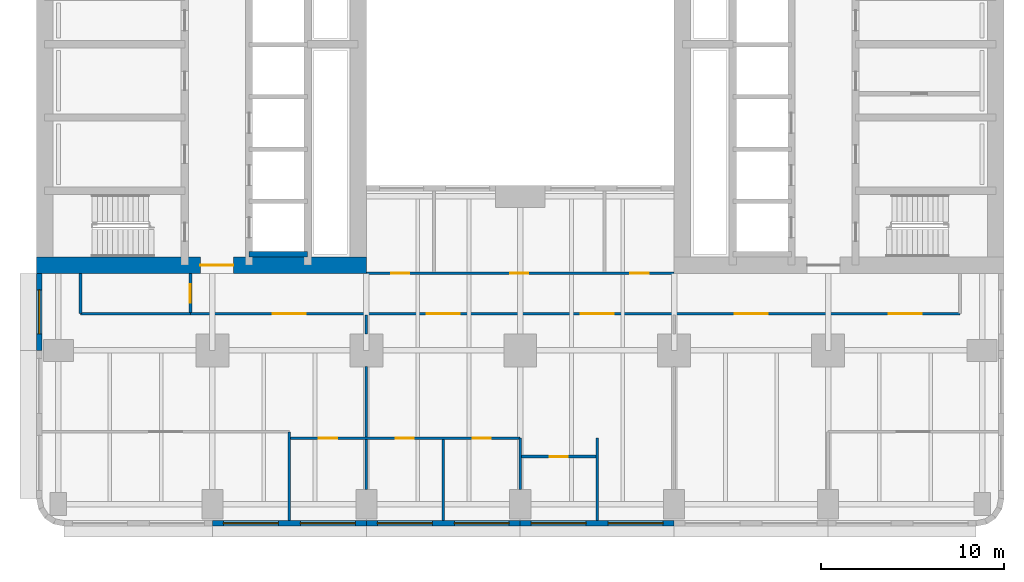
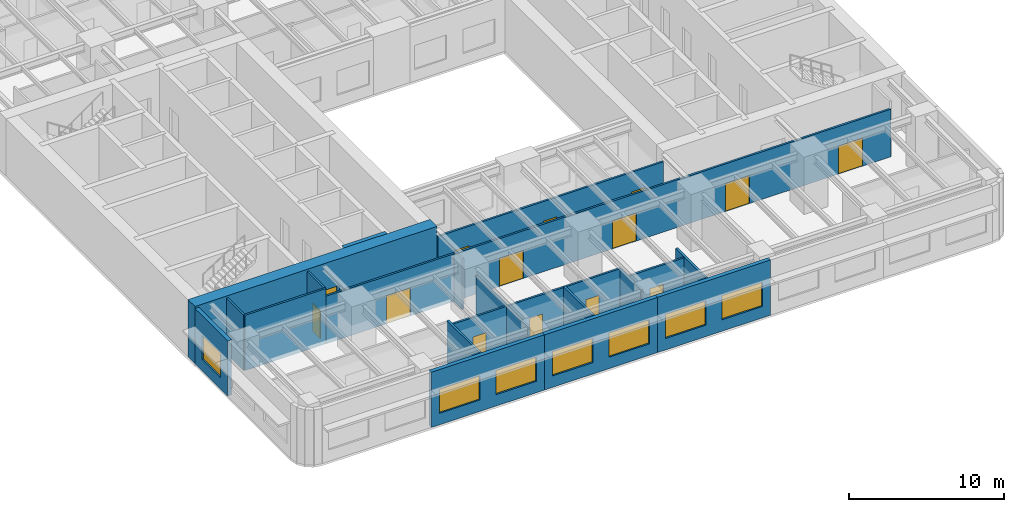
# One storey, part 3 of 12: 20 walls, 14 doors, 7 windows, 21 openings.
"""IFC4 building model written with IfcOpenShell, lengths in metres."""

from ifc_helpers import new_model, si_unit, direction, frame, frame_2d, origin, place, context, subcontext, project, spatial, rectangle, extrude, material, layer, layer_set, type_object, element, fill, save


model = new_model("IFC4")

# Units and contexts
model_context = context("Model", 3, precision=1e-05, world=origin(), true_north=direction((0.0, 1.0)))
body_context = subcontext(model_context, "Body", "Model", "MODEL_VIEW")
ifc_project = project(units=[si_unit("LENGTHUNIT", "METRE"), si_unit("AREAUNIT", "SQUARE_METRE"), si_unit("VOLUMEUNIT", "CUBIC_METRE"), si_unit("PLANEANGLEUNIT", "RADIAN"), si_unit("MASSUNIT", "GRAM", prefix="KILO")], contexts=[model_context])

# Site, building, storey
site_placement = place(None, origin())
site = spatial("IfcSite", under=ifc_project, at=site_placement, CompositionType="ELEMENT")
building_placement = place(site_placement, origin())
building = spatial("IfcBuilding", under=site, at=building_placement, Name="Claustro Exchange Tower", CompositionType="ELEMENT")
storey_placement = place(building_placement, frame((0.0, 0.0, 81.89990234375)))
storey = spatial("IfcBuildingStorey", under=building, at=storey_placement, Name="L18", CompositionType="ELEMENT", Elevation=81.89990234375)

# Wall, opening, door
ifc_material_1 = material(Name="Gypsum board on steel studs", Category="steel")
ifc_layer_1 = layer(ifc_material_1, 0.14990234375)
ifc_layer_set_1 = layer_set([ifc_layer_1], Name="Gypsum board on steel studs")
wall_type_1 = type_object("IfcWallType", Name="P1 150 plasterboard partition", PredefinedType="PARTITIONING", material=ifc_layer_set_1)
wall_1_placement = place(storey_placement, frame((25.27392578125, 2.60009765625, 0.0), z_axis=(0.0, 0.0, 1.0), x_axis=(1.0, 0.0, 0.0)))
wall_1 = element("IfcWall", 1, at=wall_1_placement, inside=storey, type_object=wall_type_1, Name="Partition P1 L18", PredefinedType="PARTITIONING", context=body_context, shape_type="SweptSolid", body=[
    extrude(rectangle(XDim=4.052001953125, YDim=0.14990234375, at=frame_2d((2.02587890625, 0.0))), origin(), (0.0, 0.0, 1.0), 3.739990234375),
])
opening_1_placement = place(wall_1_placement, frame((1.52587890625, 0.0, 0.0)))
opening_1 = element("IfcOpeningElement", 2, at=opening_1_placement, cuts=wall_1, Name="Opening D1", PredefinedType="OPENING", context=body_context, shape_type="SweptSolid", body=[
    extrude(rectangle(XDim=1.0, YDim=2.199951171875, at=frame_2d((0.5, 1.10009765625))), frame((0.0, 0.0849609375, 0.0), z_axis=(0.0, -1.0, 0.0), x_axis=(1.0, 0.0, 0.0)), (0.0, 0.0, 1.0), 0.169921875),
])
ifc_material_2 = material(Name="Timber door, oak veneer", Category="wood")
door_type_1 = type_object("IfcDoorType", Name="D1 1000 x 2200 single door", OperationType="SINGLE_SWING_LEFT", PredefinedType="DOOR", material=ifc_material_2)
door_1_placement = place(opening_1_placement, frame((1.0, 0.0, 0.0), z_axis=(0.0, 0.0, 1.0), x_axis=(-1.0, 0.0, 0.0)))
door_1 = element("IfcDoor", 3, at=door_1_placement, inside=storey, type_object=door_type_1, Name="Door D1 L18", OperationType="SINGLE_SWING_LEFT", OverallHeight=2.199951171875, OverallWidth=1.0, PredefinedType="DOOR", context=body_context, shape_type="SweptSolid", body=[
    extrude(rectangle(XDim=1.0, YDim=2.199951171875, at=frame_2d((0.5, 1.10009765625))), frame((0.0, 0.02490234375, 0.0), z_axis=(0.0, -1.0, 0.0), x_axis=(1.0, 0.0, 0.0)), (0.0, 0.0, 1.0), 0.050048828125),
])
fill(opening_1, door_1)

# Wall, openings, doors
wall_2_placement = place(storey_placement, frame((12.674072265625, 3.60009765625, 0.0), z_axis=(0.0, 0.0, 1.0), x_axis=(1.0, 0.0, 0.0)))
wall_2 = element("IfcWall", 4, at=wall_2_placement, inside=storey, type_object=wall_type_1, Name="Partition P1 L18", PredefinedType="PARTITIONING", context=body_context, shape_type="SweptSolid", body=[
    extrude(rectangle(XDim=12.52587890625, YDim=0.14990234375, at=frame_2d((6.262939453125, 0.0))), origin(), (0.0, 0.0, 1.0), 3.739990234375),
])
opening_2_placement = place(wall_2_placement, frame((1.52587890625, 0.0, 0.0)))
opening_2 = element("IfcOpeningElement", 5, at=opening_2_placement, cuts=wall_2, Name="Opening D1", PredefinedType="OPENING", context=body_context, shape_type="SweptSolid", body=[
    extrude(rectangle(XDim=1.0, YDim=2.199951171875, at=frame_2d((0.5, 1.10009765625))), frame((0.0, 0.0849609375, 0.0), z_axis=(0.0, -1.0, 0.0), x_axis=(1.0, 0.0, 0.0)), (0.0, 0.0, 1.0), 0.169921875),
])
opening_3_placement = place(wall_2_placement, frame((5.72607421875, 0.0, 0.0)))
opening_3 = element("IfcOpeningElement", 6, at=opening_3_placement, cuts=wall_2, Name="Opening D1", PredefinedType="OPENING", context=body_context, shape_type="SweptSolid", body=[
    extrude(rectangle(XDim=1.0, YDim=2.199951171875, at=frame_2d((0.5, 1.10009765625))), frame((0.0, 0.0849609375, 0.0), z_axis=(0.0, -1.0, 0.0), x_axis=(1.0, 0.0, 0.0)), (0.0, 0.0, 1.0), 0.169921875),
])
opening_4_placement = place(wall_2_placement, frame((9.926025390625, 0.0, 0.0)))
opening_4 = element("IfcOpeningElement", 7, at=opening_4_placement, cuts=wall_2, Name="Opening D1", PredefinedType="OPENING", context=body_context, shape_type="SweptSolid", body=[
    extrude(rectangle(XDim=1.0, YDim=2.199951171875, at=frame_2d((0.5, 1.10009765625))), frame((0.0, 0.0849609375, 0.0), z_axis=(0.0, -1.0, 0.0), x_axis=(1.0, 0.0, 0.0)), (0.0, 0.0, 1.0), 0.169921875),
])
door_2_placement = place(opening_2_placement, frame((1.0, 0.0, 0.0), z_axis=(0.0, 0.0, 1.0), x_axis=(-1.0, 0.0, 0.0)))
door_2 = element("IfcDoor", 8, at=door_2_placement, inside=storey, type_object=door_type_1, Name="Door D1 L18", OperationType="SINGLE_SWING_RIGHT", OverallHeight=2.199951171875, OverallWidth=1.0, PredefinedType="DOOR", context=body_context, shape_type="SweptSolid", body=[
    extrude(rectangle(XDim=1.0, YDim=2.199951171875, at=frame_2d((0.5, 1.10009765625))), frame((0.0, 0.02490234375, 0.0), z_axis=(0.0, -1.0, 0.0), x_axis=(1.0, 0.0, 0.0)), (0.0, 0.0, 1.0), 0.050048828125),
])
fill(opening_2, door_2)
door_3_placement = place(opening_3_placement, frame((1.0, 0.0, 0.0), z_axis=(0.0, 0.0, 1.0), x_axis=(-1.0, 0.0, 0.0)))
door_3 = element("IfcDoor", 9, at=door_3_placement, inside=storey, type_object=door_type_1, Name="Door D1 L18", OperationType="SINGLE_SWING_RIGHT", OverallHeight=2.199951171875, OverallWidth=1.0, PredefinedType="DOOR", context=body_context, shape_type="SweptSolid", body=[
    extrude(rectangle(XDim=1.0, YDim=2.199951171875, at=frame_2d((0.5, 1.10009765625))), frame((0.0, 0.02490234375, 0.0), z_axis=(0.0, -1.0, 0.0), x_axis=(1.0, 0.0, 0.0)), (0.0, 0.0, 1.0), 0.050048828125),
])
fill(opening_3, door_3)
door_4_placement = place(opening_4_placement, frame((1.0, 0.0, 0.0), z_axis=(0.0, 0.0, 1.0), x_axis=(-1.0, 0.0, 0.0)))
door_4 = element("IfcDoor", 10, at=door_4_placement, inside=storey, type_object=door_type_1, Name="Door D1 L18", OperationType="SINGLE_SWING_RIGHT", OverallHeight=2.199951171875, OverallWidth=1.0, PredefinedType="DOOR", context=body_context, shape_type="SweptSolid", body=[
    extrude(rectangle(XDim=1.0, YDim=2.199951171875, at=frame_2d((0.5, 1.10009765625))), frame((0.0, 0.02490234375, 0.0), z_axis=(0.0, -1.0, 0.0), x_axis=(1.0, 0.0, 0.0)), (0.0, 0.0, 1.0), 0.050048828125),
])
fill(opening_4, door_4)

# Walls
wall_3_placement = place(storey_placement, frame((12.60009765625, -0.902099609375, 0.0), z_axis=(0.0, 0.0, 1.0), x_axis=(0.0, 1.0, 0.0)))
element("IfcWall", 11, at=wall_3_placement, inside=storey, type_object=wall_type_1, Name="Partition P1 L18", PredefinedType="PARTITIONING", context=body_context, shape_type="SweptSolid", body=[
    extrude(rectangle(XDim=4.85205078125, YDim=0.14990234375, at=frame_2d((2.426025390625, 0.0))), origin(), (0.0, 0.0, 1.0), 3.840087890625),
])
wall_4_placement = place(storey_placement, frame((16.800048828125, 0.799072265625, 0.0), z_axis=(0.0, 0.0, 1.0), x_axis=(0.0, 1.0, 0.0)))
element("IfcWall", 12, at=wall_4_placement, inside=storey, type_object=wall_type_1, Name="Partition P1 L18", PredefinedType="PARTITIONING", context=body_context, shape_type="SweptSolid", body=[
    extrude(rectangle(XDim=2.726806640625, YDim=0.14990234375, at=frame_2d((1.36328125, 0.0))), origin(), (0.0, 0.0, 1.0), 3.739990234375),
])
wall_5_placement = place(storey_placement, frame((21.0, -0.902099609375, 0.0), z_axis=(0.0, 0.0, 1.0), x_axis=(0.0, 1.0, 0.0)))
element("IfcWall", 13, at=wall_5_placement, inside=storey, type_object=wall_type_1, Name="Partition P1 L18", PredefinedType="PARTITIONING", context=body_context, shape_type="SweptSolid", body=[
    extrude(rectangle(XDim=4.427978515625, YDim=0.14990234375, at=frame_2d((2.2138671875, 0.0))), origin(), (0.0, 0.0, 1.0), 3.840087890625),
])
wall_6_placement = place(storey_placement, frame((25.199951171875, 0.799072265625, 0.0), z_axis=(0.0, 0.0, 1.0), x_axis=(0.0, 1.0, 0.0)))
element("IfcWall", 14, at=wall_6_placement, inside=storey, type_object=wall_type_1, Name="Partition P1 L18", PredefinedType="PARTITIONING", context=body_context, shape_type="SweptSolid", body=[
    extrude(rectangle(XDim=2.801025390625, YDim=0.14990234375, at=frame_2d((1.400390625, 0.0))), origin(), (0.0, 0.0, 1.0), 3.739990234375),
])
wall_7_placement = place(storey_placement, frame((29.39990234375, -0.902099609375, 0.0), z_axis=(0.0, 0.0, 1.0), x_axis=(0.0, 1.0, 0.0)))
element("IfcWall", 15, at=wall_7_placement, inside=storey, type_object=wall_type_1, Name="Partition P1 L18", PredefinedType="PARTITIONING", context=body_context, shape_type="SweptSolid", body=[
    extrude(rectangle(XDim=4.502197265625, YDim=0.14990234375, at=frame_2d((2.2509765625, 0.0))), origin(), (0.0, 0.0, 1.0), 3.840087890625),
])
wall_8_placement = place(storey_placement, frame((16.800048828125, 3.674072265625, 0.0), z_axis=(0.0, 0.0, 1.0), x_axis=(0.0, 1.0, 0.0)))
element("IfcWall", 16, at=wall_8_placement, inside=storey, type_object=wall_type_1, Name="Partition P1 L18", PredefinedType="PARTITIONING", context=body_context, shape_type="SweptSolid", body=[
    extrude(rectangle(XDim=3.826904296875, YDim=0.14990234375, at=frame_2d((1.91357421875, 0.0))), origin(), (0.0, 0.0, 1.0), 3.739990234375),
])
wall_9_placement = place(storey_placement, frame((16.800048828125, 9.299072265625, 0.0), z_axis=(0.0, 0.0, 1.0), x_axis=(0.0, 1.0, 0.0)))
element("IfcWall", 17, at=wall_9_placement, inside=storey, type_object=wall_type_1, Name="Partition P1 L18", PredefinedType="PARTITIONING", context=body_context, shape_type="SweptSolid", body=[
    extrude(rectangle(XDim=1.02685546875, YDim=0.14990234375, at=frame_2d((0.513427734375, 0.0))), origin(), (0.0, 0.0, 1.0), 3.97998046875),
])

# Wall, openings, doors
wall_10_placement = place(storey_placement, frame((7.197998046875, 10.39990234375, 0.0), z_axis=(0.0, 0.0, 1.0), x_axis=(1.0, 0.0, 0.0)))
wall_10 = element("IfcWall", 18, at=wall_10_placement, inside=storey, type_object=wall_type_1, Name="Partition P1 L18", PredefinedType="PARTITIONING", context=body_context, shape_type="SweptSolid", body=[
    extrude(rectangle(XDim=42.001953125, YDim=0.14990234375, at=frame_2d((21.0009765625, 0.0))), origin(), (0.0, 0.0, 1.0), 3.739990234375),
])
opening_5_placement = place(wall_10_placement, frame((4.501953125, 0.0, 0.0)))
opening_5 = element("IfcOpeningElement", 19, at=opening_5_placement, cuts=wall_10, Name="Opening D2", PredefinedType="OPENING", context=body_context, shape_type="SweptSolid", body=[
    extrude(rectangle(XDim=1.800048828125, YDim=2.199951171875, at=frame_2d((0.89990234375, 1.10009765625))), frame((0.0, 0.0849609375, 0.0), z_axis=(0.0, -1.0, 0.0), x_axis=(1.0, 0.0, 0.0)), (0.0, 0.0, 1.0), 0.169921875),
])
opening_6_placement = place(wall_10_placement, frame((12.902099609375, 0.0, 0.0)))
opening_6 = element("IfcOpeningElement", 20, at=opening_6_placement, cuts=wall_10, Name="Opening D2", PredefinedType="OPENING", context=body_context, shape_type="SweptSolid", body=[
    extrude(rectangle(XDim=1.800048828125, YDim=2.199951171875, at=frame_2d((0.89990234375, 1.10009765625))), frame((0.0, 0.0849609375, 0.0), z_axis=(0.0, -1.0, 0.0), x_axis=(1.0, 0.0, 0.0)), (0.0, 0.0, 1.0), 0.169921875),
])
opening_7_placement = place(wall_10_placement, frame((21.302001953125, 0.0, 0.0)))
opening_7 = element("IfcOpeningElement", 21, at=opening_7_placement, cuts=wall_10, Name="Opening D2", PredefinedType="OPENING", context=body_context, shape_type="SweptSolid", body=[
    extrude(rectangle(XDim=1.800048828125, YDim=2.199951171875, at=frame_2d((0.89990234375, 1.10009765625))), frame((0.0, 0.0849609375, 0.0), z_axis=(0.0, -1.0, 0.0), x_axis=(1.0, 0.0, 0.0)), (0.0, 0.0, 1.0), 0.169921875),
])
opening_8_placement = place(wall_10_placement, frame((29.701904296875, 0.0, 0.0)))
opening_8 = element("IfcOpeningElement", 22, at=opening_8_placement, cuts=wall_10, Name="Opening D2", PredefinedType="OPENING", context=body_context, shape_type="SweptSolid", body=[
    extrude(rectangle(XDim=1.800048828125, YDim=2.199951171875, at=frame_2d((0.89990234375, 1.10009765625))), frame((0.0, 0.0849609375, 0.0), z_axis=(0.0, -1.0, 0.0), x_axis=(1.0, 0.0, 0.0)), (0.0, 0.0, 1.0), 0.169921875),
])
opening_9_placement = place(wall_10_placement, frame((38.10205078125, 0.0, 0.0)))
opening_9 = element("IfcOpeningElement", 23, at=opening_9_placement, cuts=wall_10, Name="Opening D2", PredefinedType="OPENING", context=body_context, shape_type="SweptSolid", body=[
    extrude(rectangle(XDim=1.800048828125, YDim=2.199951171875, at=frame_2d((0.89990234375, 1.10009765625))), frame((0.0, 0.0849609375, 0.0), z_axis=(0.0, -1.0, 0.0), x_axis=(1.0, 0.0, 0.0)), (0.0, 0.0, 1.0), 0.169921875),
])
ifc_material_3 = material(Name="Timber door, oak veneer", Category="wood")
door_type_2 = type_object("IfcDoorType", Name="D2 1800 x 2200 double door", OperationType="DOUBLE_DOOR_SINGLE_SWING", PredefinedType="DOOR", material=ifc_material_3)
door_5_placement = place(opening_5_placement, frame((1.800048828125, 0.0, 0.0), z_axis=(0.0, 0.0, 1.0), x_axis=(-1.0, 0.0, 0.0)))
door_5 = element("IfcDoor", 24, at=door_5_placement, inside=storey, type_object=door_type_2, Name="Double door D2 L18", OperationType="DOUBLE_DOOR_SINGLE_SWING", OverallHeight=2.199951171875, OverallWidth=1.800048828125, PredefinedType="DOOR", context=body_context, shape_type="SweptSolid", body=[
    extrude(rectangle(XDim=1.800048828125, YDim=2.199951171875, at=frame_2d((0.89990234375, 1.10009765625))), frame((0.0, 0.02490234375, 0.0), z_axis=(0.0, -1.0, 0.0), x_axis=(1.0, 0.0, 0.0)), (0.0, 0.0, 1.0), 0.050048828125),
])
fill(opening_5, door_5)
door_6_placement = place(opening_6_placement, frame((1.800048828125, 0.0, 0.0), z_axis=(0.0, 0.0, 1.0), x_axis=(-1.0, 0.0, 0.0)))
door_6 = element("IfcDoor", 25, at=door_6_placement, inside=storey, type_object=door_type_2, Name="Double door D2 L18", OperationType="DOUBLE_DOOR_SINGLE_SWING", OverallHeight=2.199951171875, OverallWidth=1.800048828125, PredefinedType="DOOR", context=body_context, shape_type="SweptSolid", body=[
    extrude(rectangle(XDim=1.800048828125, YDim=2.199951171875, at=frame_2d((0.89990234375, 1.10009765625))), frame((0.0, 0.02490234375, 0.0), z_axis=(0.0, -1.0, 0.0), x_axis=(1.0, 0.0, 0.0)), (0.0, 0.0, 1.0), 0.050048828125),
])
fill(opening_6, door_6)
door_7_placement = place(opening_7_placement, frame((1.800048828125, 0.0, 0.0), z_axis=(0.0, 0.0, 1.0), x_axis=(-1.0, 0.0, 0.0)))
door_7 = element("IfcDoor", 26, at=door_7_placement, inside=storey, type_object=door_type_2, Name="Double door D2 L18", OperationType="DOUBLE_DOOR_SINGLE_SWING", OverallHeight=2.199951171875, OverallWidth=1.800048828125, PredefinedType="DOOR", context=body_context, shape_type="SweptSolid", body=[
    extrude(rectangle(XDim=1.800048828125, YDim=2.199951171875, at=frame_2d((0.89990234375, 1.10009765625))), frame((0.0, 0.02490234375, 0.0), z_axis=(0.0, -1.0, 0.0), x_axis=(1.0, 0.0, 0.0)), (0.0, 0.0, 1.0), 0.050048828125),
])
fill(opening_7, door_7)
door_8_placement = place(opening_8_placement, frame((1.800048828125, 0.0, 0.0), z_axis=(0.0, 0.0, 1.0), x_axis=(-1.0, 0.0, 0.0)))
door_8 = element("IfcDoor", 27, at=door_8_placement, inside=storey, type_object=door_type_2, Name="Double door D2 L18", OperationType="DOUBLE_DOOR_SINGLE_SWING", OverallHeight=2.199951171875, OverallWidth=1.800048828125, PredefinedType="DOOR", context=body_context, shape_type="SweptSolid", body=[
    extrude(rectangle(XDim=1.800048828125, YDim=2.199951171875, at=frame_2d((0.89990234375, 1.10009765625))), frame((0.0, 0.02490234375, 0.0), z_axis=(0.0, -1.0, 0.0), x_axis=(1.0, 0.0, 0.0)), (0.0, 0.0, 1.0), 0.050048828125),
])
fill(opening_8, door_8)
door_9_placement = place(opening_9_placement, frame((1.800048828125, 0.0, 0.0), z_axis=(0.0, 0.0, 1.0), x_axis=(-1.0, 0.0, 0.0)))
door_9 = element("IfcDoor", 28, at=door_9_placement, inside=storey, type_object=door_type_2, Name="Double door D2 L18", OperationType="DOUBLE_DOOR_SINGLE_SWING", OverallHeight=2.199951171875, OverallWidth=1.800048828125, PredefinedType="DOOR", context=body_context, shape_type="SweptSolid", body=[
    extrude(rectangle(XDim=1.800048828125, YDim=2.199951171875, at=frame_2d((0.89990234375, 1.10009765625))), frame((0.0, 0.02490234375, 0.0), z_axis=(0.0, -1.0, 0.0), x_axis=(1.0, 0.0, 0.0)), (0.0, 0.0, 1.0), 0.050048828125),
])
fill(opening_9, door_9)

# Wall, opening, door
wall_11_placement = place(storey_placement, frame((7.199951171875, 10.47412109375, 0.0), z_axis=(0.0, 0.0, 1.0), x_axis=(0.0, 1.0, 0.0)))
wall_11 = element("IfcWall", 29, at=wall_11_placement, inside=storey, type_object=wall_type_1, Name="Partition P1 L18", PredefinedType="PARTITIONING", context=body_context, shape_type="SweptSolid", body=[
    extrude(rectangle(XDim=2.1279296875, YDim=0.14990234375, at=frame_2d((1.06396484375, 0.0))), origin(), (0.0, 0.0, 1.0), 4.340087890625),
])
opening_10_placement = place(wall_11_placement, frame((0.52587890625, 0.0, 0.0)))
opening_10 = element("IfcOpeningElement", 30, at=opening_10_placement, cuts=wall_11, Name="Opening D1", PredefinedType="OPENING", context=body_context, shape_type="SweptSolid", body=[
    extrude(rectangle(XDim=1.0, YDim=2.199951171875, at=frame_2d((0.5, 1.10009765625))), frame((0.0, 0.0849609375, 0.0), z_axis=(0.0, -1.0, 0.0), x_axis=(1.0, 0.0, 0.0)), (0.0, 0.0, 1.0), 0.169921875),
])
door_10_placement = place(opening_10_placement, origin())
door_10 = element("IfcDoor", 31, at=door_10_placement, inside=storey, type_object=door_type_1, Name="Door D1 L18", OperationType="SINGLE_SWING_RIGHT", OverallHeight=2.199951171875, OverallWidth=1.0, PredefinedType="DOOR", context=body_context, shape_type="SweptSolid", body=[
    extrude(rectangle(XDim=1.0, YDim=2.199951171875, at=frame_2d((0.5, 1.10009765625))), frame((0.0, 0.02490234375, 0.0), z_axis=(0.0, -1.0, 0.0), x_axis=(1.0, 0.0, 0.0)), (0.0, 0.0, 1.0), 0.050048828125),
])
fill(opening_10, door_10)

# Walls
wall_12_placement = place(storey_placement, frame((1.199951171875, 10.39990234375, 0.0), z_axis=(0.0, 0.0, 1.0), x_axis=(1.0, 0.0, 0.0)))
element("IfcWall", 32, at=wall_12_placement, inside=storey, type_object=wall_type_1, Name="Partition P1 L18", PredefinedType="PARTITIONING", context=body_context, shape_type="SweptSolid", body=[
    extrude(rectangle(XDim=6.001953125, YDim=0.14990234375, at=frame_2d((3.0009765625, 0.0))), origin(), (0.0, 0.0, 1.0), 4.340087890625),
])
wall_13_placement = place(storey_placement, frame((1.199951171875, 10.39990234375, 0.0), z_axis=(0.0, 0.0, 1.0), x_axis=(0.0, 1.0, 0.0)))
element("IfcWall", 33, at=wall_13_placement, inside=storey, type_object=wall_type_1, Name="Partition P1 L18", PredefinedType="PARTITIONING", context=body_context, shape_type="SweptSolid", body=[
    extrude(rectangle(XDim=2.2021484375, YDim=0.14990234375, at=frame_2d((1.10107421875, 0.0))), origin(), (0.0, 0.0, 1.0), 4.340087890625),
])

# Wall, openings, doors
wall_14_placement = place(storey_placement, frame((16.820068359375, 12.60009765625, 0.0), z_axis=(0.0, 0.0, 1.0), x_axis=(1.0, 0.0, 0.0)))
wall_14 = element("IfcWall", 34, at=wall_14_placement, inside=storey, type_object=wall_type_1, Name="Partition P1 L18", PredefinedType="PARTITIONING", context=body_context, shape_type="SweptSolid", body=[
    extrude(rectangle(XDim=16.760009765625, YDim=0.14990234375, at=frame_2d((8.3798828125, 0.0))), origin(), (0.0, 0.0, 1.0), 3.739990234375),
])
opening_11_placement = place(wall_14_placement, frame((1.330078125, 0.0, 0.0)))
opening_11 = element("IfcOpeningElement", 35, at=opening_11_placement, cuts=wall_14, Name="Opening D1", PredefinedType="OPENING", context=body_context, shape_type="SweptSolid", body=[
    extrude(rectangle(XDim=1.0, YDim=2.199951171875, at=frame_2d((0.5, 1.10009765625))), frame((0.0, 0.0849609375, 0.0), z_axis=(0.0, -1.0, 0.0), x_axis=(1.0, 0.0, 0.0)), (0.0, 0.0, 1.0), 0.169921875),
])
opening_12_placement = place(wall_14_placement, frame((7.830078125, 0.0, 0.0)))
opening_12 = element("IfcOpeningElement", 36, at=opening_12_placement, cuts=wall_14, Name="Opening D1", PredefinedType="OPENING", context=body_context, shape_type="SweptSolid", body=[
    extrude(rectangle(XDim=1.0, YDim=2.199951171875, at=frame_2d((0.5, 1.10009765625))), frame((0.0, 0.0849609375, 0.0), z_axis=(0.0, -1.0, 0.0), x_axis=(1.0, 0.0, 0.0)), (0.0, 0.0, 1.0), 0.169921875),
])
opening_13_placement = place(wall_14_placement, frame((14.3798828125, 0.0, 0.0)))
opening_13 = element("IfcOpeningElement", 37, at=opening_13_placement, cuts=wall_14, Name="Opening D1", PredefinedType="OPENING", context=body_context, shape_type="SweptSolid", body=[
    extrude(rectangle(XDim=1.0, YDim=2.199951171875, at=frame_2d((0.5, 1.10009765625))), frame((0.0, 0.0849609375, 0.0), z_axis=(0.0, -1.0, 0.0), x_axis=(1.0, 0.0, 0.0)), (0.0, 0.0, 1.0), 0.169921875),
])
door_11_placement = place(opening_11_placement, origin())
door_11 = element("IfcDoor", 38, at=door_11_placement, inside=storey, type_object=door_type_1, Name="Door D1 L18", OperationType="SINGLE_SWING_LEFT", OverallHeight=2.199951171875, OverallWidth=1.0, PredefinedType="DOOR", context=body_context, shape_type="SweptSolid", body=[
    extrude(rectangle(XDim=1.0, YDim=2.199951171875, at=frame_2d((0.5, 1.10009765625))), frame((0.0, 0.02490234375, 0.0), z_axis=(0.0, -1.0, 0.0), x_axis=(1.0, 0.0, 0.0)), (0.0, 0.0, 1.0), 0.050048828125),
])
fill(opening_11, door_11)
door_12_placement = place(opening_12_placement, origin())
door_12 = element("IfcDoor", 39, at=door_12_placement, inside=storey, type_object=door_type_1, Name="Door D1 L18", OperationType="SINGLE_SWING_LEFT", OverallHeight=2.199951171875, OverallWidth=1.0, PredefinedType="DOOR", context=body_context, shape_type="SweptSolid", body=[
    extrude(rectangle(XDim=1.0, YDim=2.199951171875, at=frame_2d((0.5, 1.10009765625))), frame((0.0, 0.02490234375, 0.0), z_axis=(0.0, -1.0, 0.0), x_axis=(1.0, 0.0, 0.0)), (0.0, 0.0, 1.0), 0.050048828125),
])
fill(opening_12, door_12)
door_13_placement = place(opening_13_placement, origin())
door_13 = element("IfcDoor", 40, at=door_13_placement, inside=storey, type_object=door_type_1, Name="Door D1 L18", OperationType="SINGLE_SWING_LEFT", OverallHeight=2.199951171875, OverallWidth=1.0, PredefinedType="DOOR", context=body_context, shape_type="SweptSolid", body=[
    extrude(rectangle(XDim=1.0, YDim=2.199951171875, at=frame_2d((0.5, 1.10009765625))), frame((0.0, 0.02490234375, 0.0), z_axis=(0.0, -1.0, 0.0), x_axis=(1.0, 0.0, 0.0)), (0.0, 0.0, 1.0), 0.050048828125),
])
fill(opening_13, door_13)

# Wall, openings, windows
ifc_material_4 = material(Name="Concrete HA-40 (C40/50), precast, white cement, acid-etched", Category="concrete")
ifc_layer_2 = layer(ifc_material_4, 0.300048828125)
ifc_layer_set_2 = layer_set([ifc_layer_2], Name="Concrete HA-40 (C40/50), precast, white cement, acid-etched")
wall_type_2 = type_object("IfcWallType", Name="PC1 300 precast concrete pier panel", PredefinedType="SOLIDWALL", material=ifc_layer_set_2)
wall_15_placement = place(storey_placement, frame((33.60009765625, -1.050048828125, 0.0), z_axis=(0.0, 0.0, 1.0), x_axis=(-1.0, 0.0, 0.0)))
wall_15 = element("IfcWall", 41, at=wall_15_placement, inside=storey, type_object=wall_type_2, Name="Precast pier panel PC1 L18", PredefinedType="SOLIDWALL", context=body_context, shape_type="SweptSolid", body=[
    extrude(rectangle(XDim=8.400146484375, YDim=0.300048828125, at=frame_2d((4.2001953125, 0.0))), origin(), (0.0, 0.0, 1.0), 4.340087890625),
])
opening_14_placement = place(wall_15_placement, frame((0.60009765625, 0.0, 0.89990234375)))
opening_14 = element("IfcOpeningElement", 42, at=opening_14_placement, cuts=wall_15, Name="Opening W1", PredefinedType="OPENING", context=body_context, shape_type="SweptSolid", body=[
    extrude(rectangle(XDim=3.0, YDim=1.89990234375, at=frame_2d((1.5, 0.949951171875))), frame((0.0, 0.159912109375, 0.0), z_axis=(0.0, -1.0, 0.0), x_axis=(1.0, 0.0, 0.0)), (0.0, 0.0, 1.0), 0.320068359375),
])
opening_15_placement = place(wall_15_placement, frame((4.800048828125, 0.0, 0.89990234375)))
opening_15 = element("IfcOpeningElement", 43, at=opening_15_placement, cuts=wall_15, Name="Opening W1", PredefinedType="OPENING", context=body_context, shape_type="SweptSolid", body=[
    extrude(rectangle(XDim=3.0, YDim=1.89990234375, at=frame_2d((1.5, 0.949951171875))), frame((0.0, 0.159912109375, 0.0), z_axis=(0.0, -1.0, 0.0), x_axis=(1.0, 0.0, 0.0)), (0.0, 0.0, 1.0), 0.320068359375),
])
ifc_material_5 = material(Name="Aluminium frame, clear double glazing", Category="aluminium")
window_type_1 = type_object("IfcWindowType", Name="W1 3000 x 1900 window", PartitioningType="SINGLE_PANEL", PredefinedType="WINDOW", material=ifc_material_5)
window_1_placement = place(opening_14_placement, origin())
window_1 = element("IfcWindow", 44, at=window_1_placement, inside=storey, type_object=window_type_1, Name="Window W1 L18", OverallHeight=1.89990234375, OverallWidth=3.0, PartitioningType="SINGLE_PANEL", PredefinedType="WINDOW", context=body_context, shape_type="SweptSolid", body=[
    extrude(rectangle(XDim=3.0, YDim=1.89990234375, at=frame_2d((1.5, 0.949951171875))), frame((0.0, 0.030029296875, 0.0), z_axis=(0.0, -1.0, 0.0), x_axis=(1.0, 0.0, 0.0)), (0.0, 0.0, 1.0), 0.06005859375),
])
fill(opening_14, window_1)
window_2_placement = place(opening_15_placement, origin())
window_2 = element("IfcWindow", 45, at=window_2_placement, inside=storey, type_object=window_type_1, Name="Window W1 L18", OverallHeight=1.89990234375, OverallWidth=3.0, PartitioningType="SINGLE_PANEL", PredefinedType="WINDOW", context=body_context, shape_type="SweptSolid", body=[
    extrude(rectangle(XDim=3.0, YDim=1.89990234375, at=frame_2d((1.5, 0.949951171875))), frame((0.0, 0.030029296875, 0.0), z_axis=(0.0, -1.0, 0.0), x_axis=(1.0, 0.0, 0.0)), (0.0, 0.0, 1.0), 0.06005859375),
])
fill(opening_15, window_2)

wall_16_placement = place(storey_placement, frame((25.199951171875, -1.050048828125, 0.0), z_axis=(0.0, 0.0, 1.0), x_axis=(-1.0, 0.0, 0.0)))
wall_16 = element("IfcWall", 46, at=wall_16_placement, inside=storey, type_object=wall_type_2, Name="Precast pier panel PC1 L18", PredefinedType="SOLIDWALL", context=body_context, shape_type="SweptSolid", body=[
    extrude(rectangle(XDim=8.39990234375, YDim=0.300048828125, at=frame_2d((4.199951171875, 0.0))), origin(), (0.0, 0.0, 1.0), 4.340087890625),
])
opening_16_placement = place(wall_16_placement, frame((0.60009765625, 0.0, 0.89990234375)))
opening_16 = element("IfcOpeningElement", 47, at=opening_16_placement, cuts=wall_16, Name="Opening W1", PredefinedType="OPENING", context=body_context, shape_type="SweptSolid", body=[
    extrude(rectangle(XDim=3.0, YDim=1.89990234375, at=frame_2d((1.5, 0.949951171875))), frame((0.0, 0.159912109375, 0.0), z_axis=(0.0, -1.0, 0.0), x_axis=(1.0, 0.0, 0.0)), (0.0, 0.0, 1.0), 0.320068359375),
])
opening_17_placement = place(wall_16_placement, frame((4.800048828125, 0.0, 0.89990234375)))
opening_17 = element("IfcOpeningElement", 48, at=opening_17_placement, cuts=wall_16, Name="Opening W1", PredefinedType="OPENING", context=body_context, shape_type="SweptSolid", body=[
    extrude(rectangle(XDim=3.0, YDim=1.89990234375, at=frame_2d((1.5, 0.949951171875))), frame((0.0, 0.159912109375, 0.0), z_axis=(0.0, -1.0, 0.0), x_axis=(1.0, 0.0, 0.0)), (0.0, 0.0, 1.0), 0.320068359375),
])
window_3_placement = place(opening_16_placement, origin())
window_3 = element("IfcWindow", 49, at=window_3_placement, inside=storey, type_object=window_type_1, Name="Window W1 L18", OverallHeight=1.89990234375, OverallWidth=3.0, PartitioningType="SINGLE_PANEL", PredefinedType="WINDOW", context=body_context, shape_type="SweptSolid", body=[
    extrude(rectangle(XDim=3.0, YDim=1.89990234375, at=frame_2d((1.5, 0.949951171875))), frame((0.0, 0.030029296875, 0.0), z_axis=(0.0, -1.0, 0.0), x_axis=(1.0, 0.0, 0.0)), (0.0, 0.0, 1.0), 0.06005859375),
])
fill(opening_16, window_3)
window_4_placement = place(opening_17_placement, origin())
window_4 = element("IfcWindow", 50, at=window_4_placement, inside=storey, type_object=window_type_1, Name="Window W1 L18", OverallHeight=1.89990234375, OverallWidth=3.0, PartitioningType="SINGLE_PANEL", PredefinedType="WINDOW", context=body_context, shape_type="SweptSolid", body=[
    extrude(rectangle(XDim=3.0, YDim=1.89990234375, at=frame_2d((1.5, 0.949951171875))), frame((0.0, 0.030029296875, 0.0), z_axis=(0.0, -1.0, 0.0), x_axis=(1.0, 0.0, 0.0)), (0.0, 0.0, 1.0), 0.06005859375),
])
fill(opening_17, window_4)

wall_17_placement = place(storey_placement, frame((16.800048828125, -1.050048828125, 0.0), z_axis=(0.0, 0.0, 1.0), x_axis=(-1.0, 0.0, 0.0)))
wall_17 = element("IfcWall", 51, at=wall_17_placement, inside=storey, type_object=wall_type_2, Name="Precast pier panel PC1 L18", PredefinedType="SOLIDWALL", context=body_context, shape_type="SweptSolid", body=[
    extrude(rectangle(XDim=8.400146484375, YDim=0.300048828125, at=frame_2d((4.2001953125, 0.0))), origin(), (0.0, 0.0, 1.0), 4.340087890625),
])
opening_18_placement = place(wall_17_placement, frame((0.60009765625, 0.0, 0.89990234375)))
opening_18 = element("IfcOpeningElement", 52, at=opening_18_placement, cuts=wall_17, Name="Opening W1", PredefinedType="OPENING", context=body_context, shape_type="SweptSolid", body=[
    extrude(rectangle(XDim=3.0, YDim=1.89990234375, at=frame_2d((1.5, 0.949951171875))), frame((0.0, 0.159912109375, 0.0), z_axis=(0.0, -1.0, 0.0), x_axis=(1.0, 0.0, 0.0)), (0.0, 0.0, 1.0), 0.320068359375),
])
opening_19_placement = place(wall_17_placement, frame((4.800048828125, 0.0, 0.89990234375)))
opening_19 = element("IfcOpeningElement", 53, at=opening_19_placement, cuts=wall_17, Name="Opening W1", PredefinedType="OPENING", context=body_context, shape_type="SweptSolid", body=[
    extrude(rectangle(XDim=3.0, YDim=1.89990234375, at=frame_2d((1.5, 0.949951171875))), frame((0.0, 0.159912109375, 0.0), z_axis=(0.0, -1.0, 0.0), x_axis=(1.0, 0.0, 0.0)), (0.0, 0.0, 1.0), 0.320068359375),
])
window_5_placement = place(opening_18_placement, origin())
window_5 = element("IfcWindow", 54, at=window_5_placement, inside=storey, type_object=window_type_1, Name="Window W1 L18", OverallHeight=1.89990234375, OverallWidth=3.0, PartitioningType="SINGLE_PANEL", PredefinedType="WINDOW", context=body_context, shape_type="SweptSolid", body=[
    extrude(rectangle(XDim=3.0, YDim=1.89990234375, at=frame_2d((1.5, 0.949951171875))), frame((0.0, 0.030029296875, 0.0), z_axis=(0.0, -1.0, 0.0), x_axis=(1.0, 0.0, 0.0)), (0.0, 0.0, 1.0), 0.06005859375),
])
fill(opening_18, window_5)
window_6_placement = place(opening_19_placement, origin())
window_6 = element("IfcWindow", 55, at=window_6_placement, inside=storey, type_object=window_type_1, Name="Window W1 L18", OverallHeight=1.89990234375, OverallWidth=3.0, PartitioningType="SINGLE_PANEL", PredefinedType="WINDOW", context=body_context, shape_type="SweptSolid", body=[
    extrude(rectangle(XDim=3.0, YDim=1.89990234375, at=frame_2d((1.5, 0.949951171875))), frame((0.0, 0.030029296875, 0.0), z_axis=(0.0, -1.0, 0.0), x_axis=(1.0, 0.0, 0.0)), (0.0, 0.0, 1.0), 0.06005859375),
])
fill(opening_19, window_6)

# Wall, opening, window
wall_18_placement = place(storey_placement, frame((-1.050048828125, 8.39990234375, 0.0), z_axis=(0.0, 0.0, 1.0), x_axis=(0.0, 1.0, 0.0)))
wall_18 = element("IfcWall", 56, at=wall_18_placement, inside=storey, type_object=wall_type_2, Name="Precast pier panel PC1 L18", PredefinedType="SOLIDWALL", context=body_context, shape_type="SweptSolid", body=[
    extrude(rectangle(XDim=4.2001953125, YDim=0.300048828125, at=frame_2d((2.10009765625, 0.0))), origin(), (0.0, 0.0, 1.0), 4.340087890625),
])
opening_20_placement = place(wall_18_placement, frame((0.89990234375, 0.0, 0.89990234375)))
opening_20 = element("IfcOpeningElement", 57, at=opening_20_placement, cuts=wall_18, Name="Opening W2", PredefinedType="OPENING", context=body_context, shape_type="SweptSolid", body=[
    extrude(rectangle(XDim=2.39990234375, YDim=1.89990234375, at=frame_2d((1.199951171875, 0.949951171875))), frame((0.0, 0.159912109375, 0.0), z_axis=(0.0, -1.0, 0.0), x_axis=(1.0, 0.0, 0.0)), (0.0, 0.0, 1.0), 0.320068359375),
])
ifc_material_6 = material(Name="Aluminium frame, clear double glazing", Category="aluminium")
window_type_2 = type_object("IfcWindowType", Name="W2 2400 x 1900 window", PartitioningType="SINGLE_PANEL", PredefinedType="WINDOW", material=ifc_material_6)
window_7_placement = place(opening_20_placement, origin())
window_7 = element("IfcWindow", 58, at=window_7_placement, inside=storey, type_object=window_type_2, Name="Window W2 L18", OverallHeight=1.89990234375, OverallWidth=2.39990234375, PartitioningType="SINGLE_PANEL", PredefinedType="WINDOW", context=body_context, shape_type="SweptSolid", body=[
    extrude(rectangle(XDim=2.39990234375, YDim=1.89990234375, at=frame_2d((1.199951171875, 0.949951171875))), frame((0.0, 0.030029296875, 0.0), z_axis=(0.0, -1.0, 0.0), x_axis=(1.0, 0.0, 0.0)), (0.0, 0.0, 1.0), 0.06005859375),
])
fill(opening_20, window_7)

# Wall, opening, door
ifc_material_7 = material(Name="Concrete HA-70 (C70/85)", Category="concrete")
ifc_layer_3 = layer(ifc_material_7, 0.89990234375)
ifc_layer_set_3 = layer_set([ifc_layer_3], Name="Concrete HA-70 (C70/85)")
wall_type_3 = type_object("IfcWallType", Name="SW1 900 core shear wall", PredefinedType="SHEAR", material=ifc_layer_set_3)
wall_19_placement = place(storey_placement, frame((-1.199951171875, 13.050048828125, 0.0), z_axis=(0.0, 0.0, 1.0), x_axis=(1.0, 0.0, 0.0)))
wall_19 = element("IfcWall", 59, at=wall_19_placement, inside=storey, type_object=wall_type_3, Name="Core wall SW1 W core S face L18", PredefinedType="SHEAR", context=body_context, shape_type="SweptSolid", body=[
    extrude(rectangle(XDim=18.0, YDim=0.89990234375, at=frame_2d((9.0, 0.0))), origin(), (0.0, 0.0, 1.0), 4.5),
])
opening_21_placement = place(wall_19_placement, frame((8.949951171875, 0.0, 0.0)))
opening_21 = element("IfcOpeningElement", 60, at=opening_21_placement, cuts=wall_19, Name="Opening D3", PredefinedType="OPENING", context=body_context, shape_type="SweptSolid", body=[
    extrude(rectangle(XDim=1.800048828125, YDim=2.39990234375, at=frame_2d((0.89990234375, 1.199951171875))), frame((0.0, 0.4599609375, 0.0), z_axis=(0.0, -1.0, 0.0), x_axis=(1.0, 0.0, 0.0)), (0.0, 0.0, 1.0), 0.919921875),
])
ifc_material_8 = material(Name="Steel fire door, painted", Category="steel")
door_type_3 = type_object("IfcDoorType", Name="D3 1800 x 2400 fire-rated lobby double door", OperationType="DOUBLE_DOOR_SINGLE_SWING", PredefinedType="DOOR", material=ifc_material_8)
door_14_placement = place(opening_21_placement, origin())
door_14 = element("IfcDoor", 61, at=door_14_placement, inside=storey, type_object=door_type_3, Name="Lift lobby door D3 L18", OperationType="DOUBLE_DOOR_SINGLE_SWING", OverallHeight=2.39990234375, OverallWidth=1.800048828125, PredefinedType="DOOR", context=body_context, shape_type="SweptSolid", body=[
    extrude(rectangle(XDim=1.800048828125, YDim=2.39990234375, at=frame_2d((0.89990234375, 1.199951171875))), frame((0.0, 0.02490234375, 0.0), z_axis=(0.0, -1.0, 0.0), x_axis=(1.0, 0.0, 0.0)), (0.0, 0.0, 1.0), 0.050048828125),
])
fill(opening_21, door_14)

# Wall
ifc_material_9 = material(Name="Concrete HA-50 (C50/60)", Category="concrete")
ifc_layer_4 = layer(ifc_material_9, 0.300048828125)
ifc_layer_set_4 = layer_set([ifc_layer_4], Name="Concrete HA-50 (C50/60)")
wall_type_4 = type_object("IfcWallType", Name="SW6A 300 lift shaft end wall", PredefinedType="SHEAR", material=ifc_layer_set_4)
wall_20_placement = place(storey_placement, frame((10.39990234375, 13.64990234375, 0.0), z_axis=(0.0, 0.0, 1.0), x_axis=(1.0, 0.0, 0.0)))
element("IfcWall", 62, at=wall_20_placement, inside=storey, type_object=wall_type_4, Name="Lift shaft wall W core L18", PredefinedType="SHEAR", context=body_context, shape_type="SweptSolid", body=[
    extrude(rectangle(XDim=3.2001953125, YDim=0.300048828125, at=frame_2d((1.60009765625, 0.0))), origin(), (0.0, 0.0, 1.0), 4.5),
])

save(model, "model.ifc")
